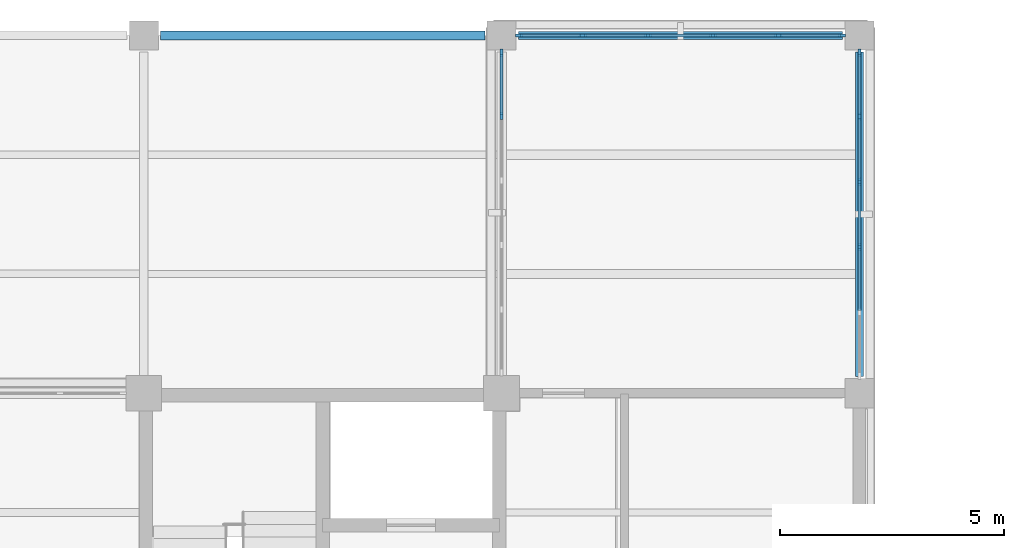
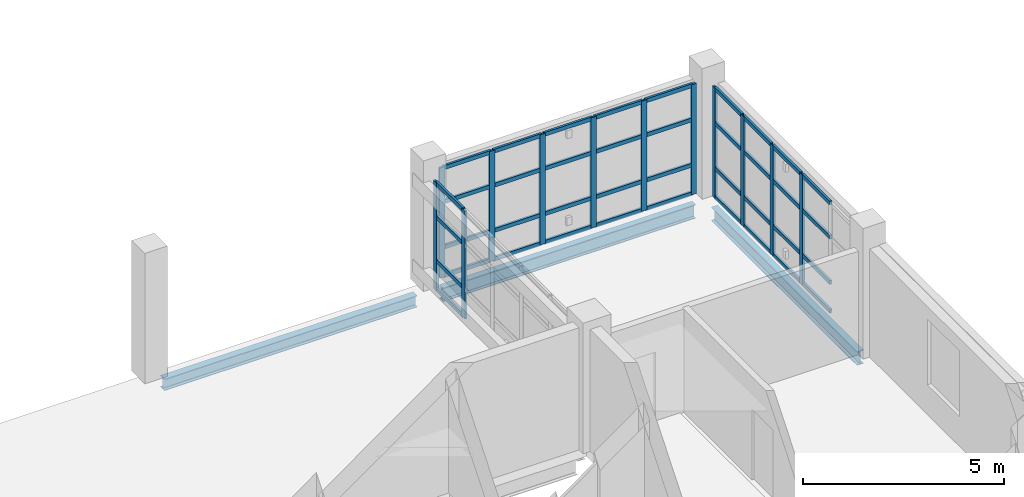
# One storey, part 38 of 126: 52 members, 3 beams, 3 elements without a shape of their own.
"""IFC4 building model written with IfcOpenShell, lengths in metres."""

import ifcopenshell
import ifcopenshell.guid

model = None  # the IFC model being written
_history = None  # IfcOwnerHistory: only IFC2X3 demands one
_inside = {}  # id of a spatial element -> (the spatial element, [elements in it])
_under = {}  # id of a project, library or spatial element -> (it, [spatial elements below it])
_declared = {}  # id of a project -> (the project, [libraries it declares])
_typed = {}  # id of a type object -> (the type object, [elements of that type])
_made_of = {}  # id of a material, layer set ... -> (it, [elements and type objects made of it])


def new_model(schema):
    """Start an empty IFC model of exactly this schema.

    Asked for "IFC4X3", IfcOpenShell would pick the latest addendum, in which some entities
    have other attributes; the version numbers below select the first issue.
    IFC2X3 requires an IfcOwnerHistory on every rooted entity: one is made here for all.
    """
    global model, _history
    if schema == "IFC4X3":
        model = ifcopenshell.file(schema_version=(4, 3, 0, 0))
    else:
        model = ifcopenshell.file(schema=schema)
    _inside.clear()
    _under.clear()
    _declared.clear()
    _typed.clear()
    _made_of.clear()
    _history = None
    if model.schema == "IFC2X3":
        org = make("IfcOrganization", Name="unknown")
        user = make(
            "IfcPersonAndOrganization",
            ThePerson=make("IfcPerson", FamilyName="unknown"),
            TheOrganization=org,
        )
        app = make(
            "IfcApplication",
            ApplicationDeveloper=org,
            Version="unknown",
            ApplicationFullName="unknown",
            ApplicationIdentifier="unknown",
        )
        _history = make(
            "IfcOwnerHistory",
            OwningUser=user,
            OwningApplication=app,
            ChangeAction="ADDED",
            CreationDate=0,
        )
    return model


def make(cls, **values):
    """One entity of the class cls with the attributes given. An attribute that is None is left unset."""
    return model.create_entity(
        cls, **{name: value for name, value in values.items() if value is not None}
    )


def rooted(cls, **values):
    """An entity with a GlobalId (a new one), such as an element, a storey or a relation."""
    return make(cls, GlobalId=ifcopenshell.guid.new(), OwnerHistory=_history, **values)


def si_unit(unit_type, name, prefix=None):
    """IfcSIUnit, for example si_unit("LENGTHUNIT", "METRE", prefix="MILLI")."""
    return make("IfcSIUnit", UnitType=unit_type, Prefix=prefix, Name=name)


def derived_unit(unit_type, elements):
    """IfcDerivedUnit: a product of units, each with its exponent."""
    return make(
        "IfcDerivedUnit",
        Elements=[
            make("IfcDerivedUnitElement", Unit=unit, Exponent=power)
            for unit, power in elements
        ],
        UnitType=unit_type,
    )


def assignment(units):
    """IfcUnitAssignment: the units of a project."""
    return None if units is None else make("IfcUnitAssignment", Units=units)


def point(xyz):
    """IfcCartesianPoint."""
    return None if xyz is None else make("IfcCartesianPoint", Coordinates=xyz)


def direction(xyz):
    """IfcDirection."""
    return None if xyz is None else make("IfcDirection", DirectionRatios=xyz)


def frame(location, z_axis=None, x_axis=None):
    """IfcAxis2Placement3D, a coordinate frame: its origin and axes. An axis left out is left unset."""
    return make(
        "IfcAxis2Placement3D",
        Location=point(location),
        Axis=direction(z_axis),
        RefDirection=direction(x_axis),
    )


def frame_2d(location, x_axis=None):
    """IfcAxis2Placement2D, a coordinate frame in the plane: its origin and x axis."""
    return make(
        "IfcAxis2Placement2D", Location=point(location), RefDirection=direction(x_axis)
    )


def origin():
    """The frame at (0, 0, 0) with its axes left unset."""
    return frame((0.0, 0.0, 0.0))


def origin_2d():
    """The frame at (0, 0) in the plane with its x axis left unset."""
    return frame_2d((0.0, 0.0))


def place(relative_to, where):
    """IfcLocalPlacement: puts the frame where relative to a parent placement (None: the world)."""
    return make(
        "IfcLocalPlacement", PlacementRelTo=relative_to, RelativePlacement=where
    )


def context(
    kind, dimensions, precision=None, world=None, true_north=None, identifier=None
):
    """IfcGeometricRepresentationContext, for example the 3D "Model" context."""
    return make(
        "IfcGeometricRepresentationContext",
        ContextIdentifier=identifier,
        ContextType=kind,
        CoordinateSpaceDimension=dimensions,
        Precision=precision,
        WorldCoordinateSystem=world,
        TrueNorth=true_north,
    )


def subcontext(parent, identifier, kind, view, scale=None):
    """IfcGeometricRepresentationSubContext, for example "Body" below "Model"."""
    return make(
        "IfcGeometricRepresentationSubContext",
        ContextIdentifier=identifier,
        ContextType=kind,
        ParentContext=parent,
        TargetScale=scale,
        TargetView=view,
    )


def project(units=None, contexts=None):
    """IfcProject with its units and contexts."""
    return rooted(
        "IfcProject",
        Name="project",
        RepresentationContexts=contexts,
        UnitsInContext=assignment(units),
    )


def spatial(cls, under=None, at=None, **own):
    """A site, building, storey or space (cls), placed at a placement, below another one or the project."""
    s = rooted(cls, ObjectPlacement=at, **own)
    if under is not None:
        _under.setdefault(under.id(), (under, []))[1].append(s)
    return s


def profile(cls, at=None, kind="AREA", **sizes):
    """A parametric profile (cls). Its sizes go by their IFC names, for example OverallWidth=200.0."""
    return make(cls, ProfileType=kind, Position=at, **sizes)


def rectangle(**sizes):
    """IfcRectangleProfileDef."""
    return profile("IfcRectangleProfileDef", **sizes)


def i_section(**sizes):
    """IfcIShapeProfileDef."""
    return profile("IfcIShapeProfileDef", **sizes)


def extrude(swept, where, along, depth):
    """IfcExtrudedAreaSolid: the profile swept, set in the frame where, extruded along a direction by depth."""
    return make(
        "IfcExtrudedAreaSolid",
        SweptArea=swept,
        Position=where,
        ExtrudedDirection=direction(along),
        Depth=depth,
    )


def shape(context_of_items, identifier, shape_type, items):
    """IfcShapeRepresentation: the items that make up one representation, for example the "Body"."""
    return make(
        "IfcShapeRepresentation",
        ContextOfItems=context_of_items,
        RepresentationIdentifier=identifier,
        RepresentationType=shape_type,
        Items=items,
    )


def material(Name=None, Category=None):
    """IfcMaterial."""
    return make("IfcMaterial", Name=Name, Category=Category)


def layer(
    of_material, thickness, ventilated=None, Name=None, Category=None, Priority=None
):
    """IfcMaterialLayer: one layer of a wall or slab, of a material (None: an air gap)."""
    return make(
        "IfcMaterialLayer",
        Material=of_material,
        LayerThickness=thickness,
        IsVentilated=ventilated,
        Name=Name,
        Category=Category,
        Priority=Priority,
    )


def layer_set(layers, Name=None):
    """IfcMaterialLayerSet."""
    return make("IfcMaterialLayerSet", MaterialLayers=layers, LayerSetName=Name)


def material_profile(
    of_material, cross_section, Name=None, Category=None, Priority=None
):
    """IfcMaterialProfile: a cross section and its material."""
    return make(
        "IfcMaterialProfile",
        Name=Name,
        Material=of_material,
        Profile=cross_section,
        Priority=Priority,
        Category=Category,
    )


def profile_set(profiles, Name=None, composite=None):
    """IfcMaterialProfileSet."""
    return make(
        "IfcMaterialProfileSet",
        Name=Name,
        MaterialProfiles=profiles,
        CompositeProfile=composite,
    )


def made_of(thing, what):
    """Note that an element or type object is made of a material, layer set ...; save() writes the relation."""
    if what is not None:
        _made_of.setdefault(what.id(), (what, []))[1].append(thing)
    return thing


def type_object(cls, material=None, **own):
    """A type object (cls), such as IfcWallType, which elements share."""
    return made_of(rooted(cls, **own), material)


def element(
    cls,
    number,
    at=None,
    inside=None,
    cuts=None,
    type_object=None,
    material=None,
    context=None,
    identifier="Body",
    shape_type=None,
    held_by="IfcProductDefinitionShape",
    body=None,
    shapes=None,
    **own,
):
    """One element of the class cls, such as IfcWall. Its Tag is "e" and its number.

    at: its placement. inside: the storey or other place that contains it. cuts: it is an
    opening in that element (IfcRelVoidsElement). A single representation is given by context,
    identifier, shape_type and body (its items); several are given by shapes. held_by: the class
    of the entity that holds the representations. save() writes the other relations.
    """
    e = rooted(cls, Tag="e%d" % number, ObjectPlacement=at, **own)
    if body is not None:
        shapes = [shape(context, identifier, shape_type, body)]
    if shapes is not None:
        e.Representation = make(held_by, Representations=shapes)
    if inside is not None:
        _inside.setdefault(inside.id(), (inside, []))[1].append(e)
    if cuts is not None:
        rooted(
            "IfcRelVoidsElement", RelatingBuildingElement=cuts, RelatedOpeningElement=e
        )
    if type_object is not None:
        _typed.setdefault(type_object.id(), (type_object, []))[1].append(e)
    return made_of(e, material)


def aggregate(whole, parts):
    """IfcRelAggregates: a whole, such as a stair, and the parts it consists of."""
    return rooted("IfcRelAggregates", RelatingObject=whole, RelatedObjects=parts)


def save(model, path):
    """Write the relations noted so far, then the file.

    IfcRelAggregates (storeys below a building ...), IfcRelContainedInSpatialStructure (elements
    in a storey), IfcRelDefinesByType, IfcRelAssociatesMaterial and IfcRelDeclares: one each for
    every whole, place, type object, material and project.
    """
    for whole, parts in _under.values():
        aggregate(whole, parts)
    for where, things in _inside.values():
        rooted(
            "IfcRelContainedInSpatialStructure",
            RelatedElements=things,
            RelatingStructure=where,
        )
    for kind, things in _typed.values():
        rooted("IfcRelDefinesByType", RelatedObjects=things, RelatingType=kind)
    for what, things in _made_of.values():
        rooted("IfcRelAssociatesMaterial", RelatedObjects=things, RelatingMaterial=what)
    for by, libraries in _declared.values():
        rooted("IfcRelDeclares", RelatingContext=by, RelatedDefinitions=libraries)
    model.write(path)


model = new_model("IFC4")

# Units and contexts
model_context = context("Model", 3, precision=1e-05, world=origin(), true_north=direction((0.0, 1.0)))
body_context = subcontext(model_context, "Body", "Model", "MODEL_VIEW")
ifc_project = project(units=[si_unit("LENGTHUNIT", "METRE"), si_unit("AREAUNIT", "SQUARE_METRE"), si_unit("VOLUMEUNIT", "CUBIC_METRE"), si_unit("PLANEANGLEUNIT", "RADIAN"), si_unit("MASSUNIT", "GRAM", prefix="KILO"), derived_unit("THERMALTRANSMITTANCEUNIT", [(si_unit("MASSUNIT", "GRAM", prefix="KILO"), 1), (si_unit("TIMEUNIT", "SECOND"), -3), (si_unit("THERMODYNAMICTEMPERATUREUNIT", "KELVIN"), -1)])], contexts=[model_context])

# Site, building, storey
site_placement = place(None, origin())
site = spatial("IfcSite", under=ifc_project, at=site_placement, CompositionType="ELEMENT")
building_placement = place(site_placement, origin())
building = spatial("IfcBuilding", under=site, at=building_placement, Name="Veyamyaing Civic Hall", CompositionType="ELEMENT")
storey_placement = place(building_placement, frame((0.0, 0.0, 9.89990234375)))
storey = spatial("IfcBuildingStorey", under=building, at=storey_placement, Name="L02", CompositionType="ELEMENT", Elevation=9.89990234375)

# Beams
ifc_material_1 = material(Name="Steel ASTM A992", Category="steel")
ifc_material_profile_1 = material_profile(ifc_material_1, i_section(OverallWidth=0.2041015625, OverallDepth=0.35009765625, WebThickness=0.0078125, FlangeThickness=0.01513671875, FilletRadius=0.010009765625, at=origin_2d()), Name="W360X72")
ifc_profile_set_1 = profile_set([ifc_material_profile_1], Name="Steel ASTM A992")
beam_type_1 = type_object("IfcBeamType", Name="B-11", PredefinedType="SPANDREL", material=ifc_profile_set_1)
beam_placement = place(storey_placement, frame((32.375, 112.0, -0.414794921875), z_axis=(1.0, 0.0, 0.0), x_axis=(0.0, 1.0, 0.0)))
element("IfcBeam", 1, at=beam_placement, inside=storey, type_object=beam_type_1, Name="Girder B-11 L02 Grid Q 5-6", PredefinedType="SPANDREL", context=body_context, shape_type="SweptSolid", body=[
    extrude(i_section(OverallWidth=0.2041015625, OverallDepth=0.35009765625, WebThickness=0.0078125, FlangeThickness=0.01513671875, FilletRadius=0.010009765625, at=origin_2d()), origin(), (0.0, 0.0, 1.0), 7.25),
])
ifc_material_profile_2 = material_profile(ifc_material_1, i_section(OverallWidth=0.180908203125, OverallDepth=0.4169921875, WebThickness=0.010986328125, FlangeThickness=0.018310546875, FilletRadius=0.010009765625, at=origin_2d()), Name="W410X85")
ifc_profile_set_2 = profile_set([ifc_material_profile_2], Name="Steel ASTM A992")
beam_type_2 = type_object("IfcBeamType", Name="B-19", PredefinedType="SPANDREL", material=ifc_profile_set_2)
for number, where, z_axis, x_axis, name in (
    (2, (40.375, 112.0, -0.493408203125), (1.0, 0.0, 0.0), (0.0, 1.0, 0.0), "Girder B-19 L02 Grid Q 6-7"),
    (3, (48.0, 104.375, -0.493408203125), (0.0, 1.0, 0.0), (-1.0, 0.0, 0.0), "Girder B-19 L02 Grid 7 P-Q"),
):
    element("IfcBeam", number, at=place(storey_placement, frame(where, z_axis=z_axis, x_axis=x_axis)), inside=storey, type_object=beam_type_2, Name=name, PredefinedType="SPANDREL", context=body_context, shape_type="SweptSolid", body=[
        extrude(i_section(OverallWidth=0.180908203125, OverallDepth=0.4169921875, WebThickness=0.010986328125, FlangeThickness=0.018310546875, FilletRadius=0.010009765625, at=origin_2d()), origin(), (0.0, 0.0, 1.0), 7.25),
    ])

# Curtain wall, members
ifc_material_2 = material(Name="Anodised aluminium 6063-T6", Category="aluminium")
ifc_layer = layer(ifc_material_2, 0.159912109375, Name="Anodised aluminium 6063-T6")
ifc_layer_set = layer_set([ifc_layer], Name="Anodised aluminium 6063-T6")
curtain_wall_type = type_object("IfcCurtainWallType", Name="CW-03", PredefinedType="NOTDEFINED", material=ifc_layer_set)
curtain_wall_1_placement = place(storey_placement, origin())
curtain_wall_1 = element("IfcCurtainWall", 4, at=curtain_wall_1_placement, inside=storey, type_object=curtain_wall_type, Name="Unitized curtain wall CW-03 L02 N 6.14", PredefinedType="NOTDEFINED")
ifc_material_profile_3 = material_profile(ifc_material_2, rectangle(XDim=0.06494140625, YDim=0.159912109375, at=origin_2d()), Name="ALU-MUL-65X160")
ifc_profile_set_3 = profile_set([ifc_material_profile_3], Name="Anodised aluminium 6063-T6")
member_type_1 = type_object("IfcMemberType", Name="CWM-01", PredefinedType="MULLION", material=ifc_profile_set_3)
member_1_placement = place(storey_placement, frame((40.387451171875, 112.0, 0.0), z_axis=(0.0, 0.0, 1.0), x_axis=(0.0, 1.0, 0.0)))
member_1 = element("IfcMember", 5, at=member_1_placement, type_object=member_type_1, Name="CW-03 mullion 1", PredefinedType="MULLION", context=body_context, shape_type="SweptSolid", body=[
    extrude(rectangle(XDim=0.06494140625, YDim=0.159912109375, at=origin_2d()), origin(), (0.0, 0.0, 1.0), 3.343994140625),
])
member_2_placement = place(storey_placement, frame((41.81298828125, 112.0, 0.0), z_axis=(0.0, 0.0, 1.0), x_axis=(0.0, 1.0, 0.0)))
member_2 = element("IfcMember", 6, at=member_2_placement, type_object=member_type_1, Name="CW-03 mullion 2", PredefinedType="MULLION", context=body_context, shape_type="SweptSolid", body=[
    extrude(rectangle(XDim=0.06494140625, YDim=0.159912109375, at=origin_2d()), origin(), (0.0, 0.0, 1.0), 3.343994140625),
])
member_3_placement = place(storey_placement, frame((43.27099609375, 112.0, 0.0), z_axis=(0.0, 0.0, 1.0), x_axis=(0.0, 1.0, 0.0)))
member_3 = element("IfcMember", 7, at=member_3_placement, type_object=member_type_1, Name="CW-03 mullion 3", PredefinedType="MULLION", context=body_context, shape_type="SweptSolid", body=[
    extrude(rectangle(XDim=0.06494140625, YDim=0.159912109375, at=origin_2d()), origin(), (0.0, 0.0, 1.0), 3.343994140625),
])
member_4_placement = place(storey_placement, frame((44.72900390625, 112.0, 0.0), z_axis=(0.0, 0.0, 1.0), x_axis=(0.0, 1.0, 0.0)))
member_4 = element("IfcMember", 8, at=member_4_placement, type_object=member_type_1, Name="CW-03 mullion 4", PredefinedType="MULLION", context=body_context, shape_type="SweptSolid", body=[
    extrude(rectangle(XDim=0.06494140625, YDim=0.159912109375, at=origin_2d()), origin(), (0.0, 0.0, 1.0), 3.343994140625),
])
member_5_placement = place(storey_placement, frame((46.18701171875, 112.0, 0.0), z_axis=(0.0, 0.0, 1.0), x_axis=(0.0, 1.0, 0.0)))
member_5 = element("IfcMember", 9, at=member_5_placement, type_object=member_type_1, Name="CW-03 mullion 5", PredefinedType="MULLION", context=body_context, shape_type="SweptSolid", body=[
    extrude(rectangle(XDim=0.06494140625, YDim=0.159912109375, at=origin_2d()), origin(), (0.0, 0.0, 1.0), 3.343994140625),
])
member_6_placement = place(storey_placement, frame((47.612548828125, 112.0, 0.0), z_axis=(0.0, 0.0, 1.0), x_axis=(0.0, 1.0, 0.0)))
member_6 = element("IfcMember", 10, at=member_6_placement, type_object=member_type_1, Name="CW-03 mullion 6", PredefinedType="MULLION", context=body_context, shape_type="SweptSolid", body=[
    extrude(rectangle(XDim=0.06494140625, YDim=0.159912109375, at=origin_2d()), origin(), (0.0, 0.0, 1.0), 3.343994140625),
])

curtain_wall_2_placement = place(storey_placement, origin())
curtain_wall_2 = element("IfcCurtainWall", 11, at=curtain_wall_2_placement, inside=storey, type_object=curtain_wall_type, Name="Unitized curtain wall CW-03 L02 W 6.14", PredefinedType="NOTDEFINED")
member_7_placement = place(storey_placement, frame((40.0, 110.201904296875, 0.0), z_axis=(0.0, 0.0, 1.0), x_axis=(-1.0, 0.0, 0.0)))
member_7 = element("IfcMember", 12, at=member_7_placement, type_object=member_type_1, Name="CW-03 mullion 5", PredefinedType="MULLION", context=body_context, shape_type="SweptSolid", body=[
    extrude(rectangle(XDim=0.06494140625, YDim=0.159912109375, at=origin_2d()), origin(), (0.0, 0.0, 1.0), 3.280029296875),
])
member_8_placement = place(storey_placement, frame((40.0, 111.612548828125, 0.0), z_axis=(0.0, 0.0, 1.0), x_axis=(-1.0, 0.0, 0.0)))
member_8 = element("IfcMember", 13, at=member_8_placement, type_object=member_type_1, Name="CW-03 mullion 6", PredefinedType="MULLION", context=body_context, shape_type="SweptSolid", body=[
    extrude(rectangle(XDim=0.06494140625, YDim=0.159912109375, at=origin_2d()), origin(), (0.0, 0.0, 1.0), 3.280029296875),
])

curtain_wall_3_placement = place(storey_placement, origin())
curtain_wall_3 = element("IfcCurtainWall", 14, at=curtain_wall_3_placement, inside=storey, type_object=curtain_wall_type, Name="Unitized curtain wall CW-03 L02 E 6.14", PredefinedType="NOTDEFINED")
member_9_placement = place(storey_placement, frame((48.0, 107.27099609375, 0.0), z_axis=(0.0, 0.0, 1.0), x_axis=(-1.0, 0.0, 0.0)))
member_9 = element("IfcMember", 15, at=member_9_placement, type_object=member_type_1, Name="CW-03 mullion 3", PredefinedType="MULLION", context=body_context, shape_type="SweptSolid", body=[
    extrude(rectangle(XDim=0.06494140625, YDim=0.159912109375, at=origin_2d()), origin(), (0.0, 0.0, 1.0), 3.343994140625),
])
member_10_placement = place(storey_placement, frame((48.0, 108.72900390625, 0.0), z_axis=(0.0, 0.0, 1.0), x_axis=(-1.0, 0.0, 0.0)))
member_10 = element("IfcMember", 16, at=member_10_placement, type_object=member_type_1, Name="CW-03 mullion 4", PredefinedType="MULLION", context=body_context, shape_type="SweptSolid", body=[
    extrude(rectangle(XDim=0.06494140625, YDim=0.159912109375, at=origin_2d()), origin(), (0.0, 0.0, 1.0), 3.343994140625),
])
member_11_placement = place(storey_placement, frame((48.0, 110.18701171875, 0.0), z_axis=(0.0, 0.0, 1.0), x_axis=(-1.0, 0.0, 0.0)))
member_11 = element("IfcMember", 17, at=member_11_placement, type_object=member_type_1, Name="CW-03 mullion 5", PredefinedType="MULLION", context=body_context, shape_type="SweptSolid", body=[
    extrude(rectangle(XDim=0.06494140625, YDim=0.159912109375, at=origin_2d()), origin(), (0.0, 0.0, 1.0), 3.343994140625),
])
member_12_placement = place(storey_placement, frame((48.0, 111.612548828125, 0.0), z_axis=(0.0, 0.0, 1.0), x_axis=(-1.0, 0.0, 0.0)))
member_12 = element("IfcMember", 18, at=member_12_placement, type_object=member_type_1, Name="CW-03 mullion 6", PredefinedType="MULLION", context=body_context, shape_type="SweptSolid", body=[
    extrude(rectangle(XDim=0.06494140625, YDim=0.159912109375, at=origin_2d()), origin(), (0.0, 0.0, 1.0), 3.343994140625),
])

# Member
ifc_material_profile_4 = material_profile(ifc_material_2, rectangle(XDim=0.06494140625, YDim=0.1201171875, at=origin_2d()), Name="ALU-TRN-65X120")
ifc_profile_set_4 = profile_set([ifc_material_profile_4], Name="Anodised aluminium 6063-T6")
member_type_2 = type_object("IfcMemberType", Name="CWT-01", PredefinedType="USERDEFINED", material=ifc_profile_set_4)
member_13_placement = place(storey_placement, frame((40.419921875, 112.0, 0.03271484375), z_axis=(1.0, 0.0, 0.0), x_axis=(0.0, 1.0, 0.0)))
member_13 = element("IfcMember", 19, at=member_13_placement, type_object=member_type_2, Name="CW-03 transom 1.1", ObjectType="TRANSOM", PredefinedType="USERDEFINED", context=body_context, shape_type="SweptSolid", body=[
    extrude(rectangle(XDim=0.06494140625, YDim=0.1201171875, at=origin_2d()), origin(), (0.0, 0.0, 1.0), 1.360595703125),
])

member_14_placement = place(storey_placement, frame((40.419921875, 112.0, 0.900146484375), z_axis=(1.0, 0.0, 0.0), x_axis=(0.0, 1.0, 0.0)))
member_14 = element("IfcMember", 20, at=member_14_placement, type_object=member_type_2, Name="CW-03 transom 1.2", ObjectType="TRANSOM", PredefinedType="USERDEFINED", context=body_context, shape_type="SweptSolid", body=[
    extrude(rectangle(XDim=0.06494140625, YDim=0.1201171875, at=origin_2d()), origin(), (0.0, 0.0, 1.0), 1.360595703125),
])

member_15_placement = place(storey_placement, frame((40.419921875, 112.0, 2.27392578125), z_axis=(1.0, 0.0, 0.0), x_axis=(0.0, 1.0, 0.0)))
member_15 = element("IfcMember", 21, at=member_15_placement, type_object=member_type_2, Name="CW-03 transom 1.3", ObjectType="TRANSOM", PredefinedType="USERDEFINED", context=body_context, shape_type="SweptSolid", body=[
    extrude(rectangle(XDim=0.06494140625, YDim=0.1201171875, at=origin_2d()), origin(), (0.0, 0.0, 1.0), 1.360595703125),
])

member_16_placement = place(storey_placement, frame((40.419921875, 112.0, 3.3115234375), z_axis=(1.0, 0.0, 0.0), x_axis=(0.0, 1.0, 0.0)))
member_16 = element("IfcMember", 22, at=member_16_placement, type_object=member_type_2, Name="CW-03 transom 1.4", ObjectType="TRANSOM", PredefinedType="USERDEFINED", context=body_context, shape_type="SweptSolid", body=[
    extrude(rectangle(XDim=0.06494140625, YDim=0.1201171875, at=origin_2d()), origin(), (0.0, 0.0, 1.0), 1.360595703125),
])

member_17_placement = place(storey_placement, frame((41.845458984375, 112.0, 0.03271484375), z_axis=(1.0, 0.0, 0.0), x_axis=(0.0, 1.0, 0.0)))
member_17 = element("IfcMember", 23, at=member_17_placement, type_object=member_type_2, Name="CW-03 transom 2.1", ObjectType="TRANSOM", PredefinedType="USERDEFINED", context=body_context, shape_type="SweptSolid", body=[
    extrude(rectangle(XDim=0.06494140625, YDim=0.1201171875, at=origin_2d()), origin(), (0.0, 0.0, 1.0), 1.39306640625),
])

member_18_placement = place(storey_placement, frame((41.845458984375, 112.0, 0.900146484375), z_axis=(1.0, 0.0, 0.0), x_axis=(0.0, 1.0, 0.0)))
member_18 = element("IfcMember", 24, at=member_18_placement, type_object=member_type_2, Name="CW-03 transom 2.2", ObjectType="TRANSOM", PredefinedType="USERDEFINED", context=body_context, shape_type="SweptSolid", body=[
    extrude(rectangle(XDim=0.06494140625, YDim=0.1201171875, at=origin_2d()), origin(), (0.0, 0.0, 1.0), 1.39306640625),
])

member_19_placement = place(storey_placement, frame((41.845458984375, 112.0, 2.27392578125), z_axis=(1.0, 0.0, 0.0), x_axis=(0.0, 1.0, 0.0)))
member_19 = element("IfcMember", 25, at=member_19_placement, type_object=member_type_2, Name="CW-03 transom 2.3", ObjectType="TRANSOM", PredefinedType="USERDEFINED", context=body_context, shape_type="SweptSolid", body=[
    extrude(rectangle(XDim=0.06494140625, YDim=0.1201171875, at=origin_2d()), origin(), (0.0, 0.0, 1.0), 1.39306640625),
])

member_20_placement = place(storey_placement, frame((41.845458984375, 112.0, 3.3115234375), z_axis=(1.0, 0.0, 0.0), x_axis=(0.0, 1.0, 0.0)))
member_20 = element("IfcMember", 26, at=member_20_placement, type_object=member_type_2, Name="CW-03 transom 2.4", ObjectType="TRANSOM", PredefinedType="USERDEFINED", context=body_context, shape_type="SweptSolid", body=[
    extrude(rectangle(XDim=0.06494140625, YDim=0.1201171875, at=origin_2d()), origin(), (0.0, 0.0, 1.0), 1.39306640625),
])

member_21_placement = place(storey_placement, frame((43.303466796875, 112.0, 0.03271484375), z_axis=(1.0, 0.0, 0.0), x_axis=(0.0, 1.0, 0.0)))
member_21 = element("IfcMember", 27, at=member_21_placement, type_object=member_type_2, Name="CW-03 transom 3.1", ObjectType="TRANSOM", PredefinedType="USERDEFINED", context=body_context, shape_type="SweptSolid", body=[
    extrude(rectangle(XDim=0.06494140625, YDim=0.1201171875, at=origin_2d()), origin(), (0.0, 0.0, 1.0), 1.39306640625),
])

member_22_placement = place(storey_placement, frame((43.303466796875, 112.0, 0.900146484375), z_axis=(1.0, 0.0, 0.0), x_axis=(0.0, 1.0, 0.0)))
member_22 = element("IfcMember", 28, at=member_22_placement, type_object=member_type_2, Name="CW-03 transom 3.2", ObjectType="TRANSOM", PredefinedType="USERDEFINED", context=body_context, shape_type="SweptSolid", body=[
    extrude(rectangle(XDim=0.06494140625, YDim=0.1201171875, at=origin_2d()), origin(), (0.0, 0.0, 1.0), 1.39306640625),
])

member_23_placement = place(storey_placement, frame((43.303466796875, 112.0, 2.27392578125), z_axis=(1.0, 0.0, 0.0), x_axis=(0.0, 1.0, 0.0)))
member_23 = element("IfcMember", 29, at=member_23_placement, type_object=member_type_2, Name="CW-03 transom 3.3", ObjectType="TRANSOM", PredefinedType="USERDEFINED", context=body_context, shape_type="SweptSolid", body=[
    extrude(rectangle(XDim=0.06494140625, YDim=0.1201171875, at=origin_2d()), origin(), (0.0, 0.0, 1.0), 1.39306640625),
])

member_24_placement = place(storey_placement, frame((43.303466796875, 112.0, 3.3115234375), z_axis=(1.0, 0.0, 0.0), x_axis=(0.0, 1.0, 0.0)))
member_24 = element("IfcMember", 30, at=member_24_placement, type_object=member_type_2, Name="CW-03 transom 3.4", ObjectType="TRANSOM", PredefinedType="USERDEFINED", context=body_context, shape_type="SweptSolid", body=[
    extrude(rectangle(XDim=0.06494140625, YDim=0.1201171875, at=origin_2d()), origin(), (0.0, 0.0, 1.0), 1.39306640625),
])

member_25_placement = place(storey_placement, frame((44.761474609375, 112.0, 0.03271484375), z_axis=(1.0, 0.0, 0.0), x_axis=(0.0, 1.0, 0.0)))
member_25 = element("IfcMember", 31, at=member_25_placement, type_object=member_type_2, Name="CW-03 transom 4.1", ObjectType="TRANSOM", PredefinedType="USERDEFINED", context=body_context, shape_type="SweptSolid", body=[
    extrude(rectangle(XDim=0.06494140625, YDim=0.1201171875, at=origin_2d()), origin(), (0.0, 0.0, 1.0), 1.39306640625),
])

member_26_placement = place(storey_placement, frame((44.761474609375, 112.0, 0.900146484375), z_axis=(1.0, 0.0, 0.0), x_axis=(0.0, 1.0, 0.0)))
member_26 = element("IfcMember", 32, at=member_26_placement, type_object=member_type_2, Name="CW-03 transom 4.2", ObjectType="TRANSOM", PredefinedType="USERDEFINED", context=body_context, shape_type="SweptSolid", body=[
    extrude(rectangle(XDim=0.06494140625, YDim=0.1201171875, at=origin_2d()), origin(), (0.0, 0.0, 1.0), 1.39306640625),
])

member_27_placement = place(storey_placement, frame((44.761474609375, 112.0, 2.27392578125), z_axis=(1.0, 0.0, 0.0), x_axis=(0.0, 1.0, 0.0)))
member_27 = element("IfcMember", 33, at=member_27_placement, type_object=member_type_2, Name="CW-03 transom 4.3", ObjectType="TRANSOM", PredefinedType="USERDEFINED", context=body_context, shape_type="SweptSolid", body=[
    extrude(rectangle(XDim=0.06494140625, YDim=0.1201171875, at=origin_2d()), origin(), (0.0, 0.0, 1.0), 1.39306640625),
])

member_28_placement = place(storey_placement, frame((44.761474609375, 112.0, 3.3115234375), z_axis=(1.0, 0.0, 0.0), x_axis=(0.0, 1.0, 0.0)))
member_28 = element("IfcMember", 34, at=member_28_placement, type_object=member_type_2, Name="CW-03 transom 4.4", ObjectType="TRANSOM", PredefinedType="USERDEFINED", context=body_context, shape_type="SweptSolid", body=[
    extrude(rectangle(XDim=0.06494140625, YDim=0.1201171875, at=origin_2d()), origin(), (0.0, 0.0, 1.0), 1.39306640625),
])

member_29_placement = place(storey_placement, frame((46.219482421875, 112.0, 0.03271484375), z_axis=(1.0, 0.0, 0.0), x_axis=(0.0, 1.0, 0.0)))
member_29 = element("IfcMember", 35, at=member_29_placement, type_object=member_type_2, Name="CW-03 transom 5.1", ObjectType="TRANSOM", PredefinedType="USERDEFINED", context=body_context, shape_type="SweptSolid", body=[
    extrude(rectangle(XDim=0.06494140625, YDim=0.1201171875, at=origin_2d()), origin(), (0.0, 0.0, 1.0), 1.360595703125),
])

member_30_placement = place(storey_placement, frame((46.219482421875, 112.0, 0.900146484375), z_axis=(1.0, 0.0, 0.0), x_axis=(0.0, 1.0, 0.0)))
member_30 = element("IfcMember", 36, at=member_30_placement, type_object=member_type_2, Name="CW-03 transom 5.2", ObjectType="TRANSOM", PredefinedType="USERDEFINED", context=body_context, shape_type="SweptSolid", body=[
    extrude(rectangle(XDim=0.06494140625, YDim=0.1201171875, at=origin_2d()), origin(), (0.0, 0.0, 1.0), 1.360595703125),
])

member_31_placement = place(storey_placement, frame((46.219482421875, 112.0, 2.27392578125), z_axis=(1.0, 0.0, 0.0), x_axis=(0.0, 1.0, 0.0)))
member_31 = element("IfcMember", 37, at=member_31_placement, type_object=member_type_2, Name="CW-03 transom 5.3", ObjectType="TRANSOM", PredefinedType="USERDEFINED", context=body_context, shape_type="SweptSolid", body=[
    extrude(rectangle(XDim=0.06494140625, YDim=0.1201171875, at=origin_2d()), origin(), (0.0, 0.0, 1.0), 1.360595703125),
])

member_32_placement = place(storey_placement, frame((46.219482421875, 112.0, 3.3115234375), z_axis=(1.0, 0.0, 0.0), x_axis=(0.0, 1.0, 0.0)))
member_32 = element("IfcMember", 38, at=member_32_placement, type_object=member_type_2, Name="CW-03 transom 5.4", ObjectType="TRANSOM", PredefinedType="USERDEFINED", context=body_context, shape_type="SweptSolid", body=[
    extrude(rectangle(XDim=0.06494140625, YDim=0.1201171875, at=origin_2d()), origin(), (0.0, 0.0, 1.0), 1.360595703125),
])

aggregate(curtain_wall_1, [member_1, member_2, member_3, member_4, member_5, member_6, member_13, member_14, member_15, member_16, member_17, member_18, member_19, member_20, member_21, member_22, member_23, member_24, member_25, member_26, member_27, member_28, member_29, member_30, member_31, member_32])

member_33_placement = place(storey_placement, frame((40.0, 110.234619140625, 0.03271484375), z_axis=(0.0, 1.0, 0.0), x_axis=(-1.0, 0.0, 0.0)))
member_33 = element("IfcMember", 39, at=member_33_placement, type_object=member_type_2, Name="CW-03 transom 5.1", ObjectType="TRANSOM", PredefinedType="USERDEFINED", context=body_context, shape_type="SweptSolid", body=[
    extrude(rectangle(XDim=0.06494140625, YDim=0.1201171875, at=origin_2d()), origin(), (0.0, 0.0, 1.0), 1.345458984375),
])

member_34_placement = place(storey_placement, frame((40.0, 110.234619140625, 0.900146484375), z_axis=(0.0, 1.0, 0.0), x_axis=(-1.0, 0.0, 0.0)))
member_34 = element("IfcMember", 40, at=member_34_placement, type_object=member_type_2, Name="CW-03 transom 5.2", ObjectType="TRANSOM", PredefinedType="USERDEFINED", context=body_context, shape_type="SweptSolid", body=[
    extrude(rectangle(XDim=0.06494140625, YDim=0.1201171875, at=origin_2d()), origin(), (0.0, 0.0, 1.0), 1.345458984375),
])

member_35_placement = place(storey_placement, frame((40.0, 110.234619140625, 2.23046875), z_axis=(0.0, 1.0, 0.0), x_axis=(-1.0, 0.0, 0.0)))
member_35 = element("IfcMember", 41, at=member_35_placement, type_object=member_type_2, Name="CW-03 transom 5.3", ObjectType="TRANSOM", PredefinedType="USERDEFINED", context=body_context, shape_type="SweptSolid", body=[
    extrude(rectangle(XDim=0.06494140625, YDim=0.1201171875, at=origin_2d()), origin(), (0.0, 0.0, 1.0), 1.345458984375),
])

member_36_placement = place(storey_placement, frame((40.0, 110.234619140625, 3.24755859375), z_axis=(0.0, 1.0, 0.0), x_axis=(-1.0, 0.0, 0.0)))
member_36 = element("IfcMember", 42, at=member_36_placement, type_object=member_type_2, Name="CW-03 transom 5.4", ObjectType="TRANSOM", PredefinedType="USERDEFINED", context=body_context, shape_type="SweptSolid", body=[
    extrude(rectangle(XDim=0.06494140625, YDim=0.1201171875, at=origin_2d()), origin(), (0.0, 0.0, 1.0), 1.345458984375),
])

aggregate(curtain_wall_2, [member_7, member_8, member_33, member_34, member_35, member_36])

member_37_placement = place(storey_placement, frame((48.0, 105.845458984375, 0.03271484375), z_axis=(0.0, 1.0, 0.0), x_axis=(-1.0, 0.0, 0.0)))
member_37 = element("IfcMember", 43, at=member_37_placement, type_object=member_type_2, Name="CW-03 transom 2.1", ObjectType="TRANSOM", PredefinedType="USERDEFINED", context=body_context, shape_type="SweptSolid", body=[
    extrude(rectangle(XDim=0.06494140625, YDim=0.1201171875, at=origin_2d()), origin(), (0.0, 0.0, 1.0), 1.39306640625),
])

member_38_placement = place(storey_placement, frame((48.0, 105.845458984375, 0.900146484375), z_axis=(0.0, 1.0, 0.0), x_axis=(-1.0, 0.0, 0.0)))
member_38 = element("IfcMember", 44, at=member_38_placement, type_object=member_type_2, Name="CW-03 transom 2.2", ObjectType="TRANSOM", PredefinedType="USERDEFINED", context=body_context, shape_type="SweptSolid", body=[
    extrude(rectangle(XDim=0.06494140625, YDim=0.1201171875, at=origin_2d()), origin(), (0.0, 0.0, 1.0), 1.39306640625),
])

member_39_placement = place(storey_placement, frame((48.0, 105.845458984375, 2.27392578125), z_axis=(0.0, 1.0, 0.0), x_axis=(-1.0, 0.0, 0.0)))
member_39 = element("IfcMember", 45, at=member_39_placement, type_object=member_type_2, Name="CW-03 transom 2.3", ObjectType="TRANSOM", PredefinedType="USERDEFINED", context=body_context, shape_type="SweptSolid", body=[
    extrude(rectangle(XDim=0.06494140625, YDim=0.1201171875, at=origin_2d()), origin(), (0.0, 0.0, 1.0), 1.39306640625),
])

member_40_placement = place(storey_placement, frame((48.0, 105.845458984375, 3.3115234375), z_axis=(0.0, 1.0, 0.0), x_axis=(-1.0, 0.0, 0.0)))
member_40 = element("IfcMember", 46, at=member_40_placement, type_object=member_type_2, Name="CW-03 transom 2.4", ObjectType="TRANSOM", PredefinedType="USERDEFINED", context=body_context, shape_type="SweptSolid", body=[
    extrude(rectangle(XDim=0.06494140625, YDim=0.1201171875, at=origin_2d()), origin(), (0.0, 0.0, 1.0), 1.39306640625),
])

member_41_placement = place(storey_placement, frame((48.0, 107.303466796875, 0.03271484375), z_axis=(0.0, 1.0, 0.0), x_axis=(-1.0, 0.0, 0.0)))
member_41 = element("IfcMember", 47, at=member_41_placement, type_object=member_type_2, Name="CW-03 transom 3.1", ObjectType="TRANSOM", PredefinedType="USERDEFINED", context=body_context, shape_type="SweptSolid", body=[
    extrude(rectangle(XDim=0.06494140625, YDim=0.1201171875, at=origin_2d()), origin(), (0.0, 0.0, 1.0), 1.39306640625),
])

member_42_placement = place(storey_placement, frame((48.0, 107.303466796875, 0.900146484375), z_axis=(0.0, 1.0, 0.0), x_axis=(-1.0, 0.0, 0.0)))
member_42 = element("IfcMember", 48, at=member_42_placement, type_object=member_type_2, Name="CW-03 transom 3.2", ObjectType="TRANSOM", PredefinedType="USERDEFINED", context=body_context, shape_type="SweptSolid", body=[
    extrude(rectangle(XDim=0.06494140625, YDim=0.1201171875, at=origin_2d()), origin(), (0.0, 0.0, 1.0), 1.39306640625),
])

member_43_placement = place(storey_placement, frame((48.0, 107.303466796875, 2.27392578125), z_axis=(0.0, 1.0, 0.0), x_axis=(-1.0, 0.0, 0.0)))
member_43 = element("IfcMember", 49, at=member_43_placement, type_object=member_type_2, Name="CW-03 transom 3.3", ObjectType="TRANSOM", PredefinedType="USERDEFINED", context=body_context, shape_type="SweptSolid", body=[
    extrude(rectangle(XDim=0.06494140625, YDim=0.1201171875, at=origin_2d()), origin(), (0.0, 0.0, 1.0), 1.39306640625),
])

member_44_placement = place(storey_placement, frame((48.0, 107.303466796875, 3.3115234375), z_axis=(0.0, 1.0, 0.0), x_axis=(-1.0, 0.0, 0.0)))
member_44 = element("IfcMember", 50, at=member_44_placement, type_object=member_type_2, Name="CW-03 transom 3.4", ObjectType="TRANSOM", PredefinedType="USERDEFINED", context=body_context, shape_type="SweptSolid", body=[
    extrude(rectangle(XDim=0.06494140625, YDim=0.1201171875, at=origin_2d()), origin(), (0.0, 0.0, 1.0), 1.39306640625),
])

member_45_placement = place(storey_placement, frame((48.0, 108.761474609375, 0.03271484375), z_axis=(0.0, 1.0, 0.0), x_axis=(-1.0, 0.0, 0.0)))
member_45 = element("IfcMember", 51, at=member_45_placement, type_object=member_type_2, Name="CW-03 transom 4.1", ObjectType="TRANSOM", PredefinedType="USERDEFINED", context=body_context, shape_type="SweptSolid", body=[
    extrude(rectangle(XDim=0.06494140625, YDim=0.1201171875, at=origin_2d()), origin(), (0.0, 0.0, 1.0), 1.39306640625),
])

member_46_placement = place(storey_placement, frame((48.0, 108.761474609375, 0.900146484375), z_axis=(0.0, 1.0, 0.0), x_axis=(-1.0, 0.0, 0.0)))
member_46 = element("IfcMember", 52, at=member_46_placement, type_object=member_type_2, Name="CW-03 transom 4.2", ObjectType="TRANSOM", PredefinedType="USERDEFINED", context=body_context, shape_type="SweptSolid", body=[
    extrude(rectangle(XDim=0.06494140625, YDim=0.1201171875, at=origin_2d()), origin(), (0.0, 0.0, 1.0), 1.39306640625),
])

member_47_placement = place(storey_placement, frame((48.0, 108.761474609375, 2.27392578125), z_axis=(0.0, 1.0, 0.0), x_axis=(-1.0, 0.0, 0.0)))
member_47 = element("IfcMember", 53, at=member_47_placement, type_object=member_type_2, Name="CW-03 transom 4.3", ObjectType="TRANSOM", PredefinedType="USERDEFINED", context=body_context, shape_type="SweptSolid", body=[
    extrude(rectangle(XDim=0.06494140625, YDim=0.1201171875, at=origin_2d()), origin(), (0.0, 0.0, 1.0), 1.39306640625),
])

member_48_placement = place(storey_placement, frame((48.0, 108.761474609375, 3.3115234375), z_axis=(0.0, 1.0, 0.0), x_axis=(-1.0, 0.0, 0.0)))
member_48 = element("IfcMember", 54, at=member_48_placement, type_object=member_type_2, Name="CW-03 transom 4.4", ObjectType="TRANSOM", PredefinedType="USERDEFINED", context=body_context, shape_type="SweptSolid", body=[
    extrude(rectangle(XDim=0.06494140625, YDim=0.1201171875, at=origin_2d()), origin(), (0.0, 0.0, 1.0), 1.39306640625),
])

member_49_placement = place(storey_placement, frame((48.0, 110.219482421875, 0.03271484375), z_axis=(0.0, 1.0, 0.0), x_axis=(-1.0, 0.0, 0.0)))
member_49 = element("IfcMember", 55, at=member_49_placement, type_object=member_type_2, Name="CW-03 transom 5.1", ObjectType="TRANSOM", PredefinedType="USERDEFINED", context=body_context, shape_type="SweptSolid", body=[
    extrude(rectangle(XDim=0.06494140625, YDim=0.1201171875, at=origin_2d()), origin(), (0.0, 0.0, 1.0), 1.360595703125),
])

member_50_placement = place(storey_placement, frame((48.0, 110.219482421875, 0.900146484375), z_axis=(0.0, 1.0, 0.0), x_axis=(-1.0, 0.0, 0.0)))
member_50 = element("IfcMember", 56, at=member_50_placement, type_object=member_type_2, Name="CW-03 transom 5.2", ObjectType="TRANSOM", PredefinedType="USERDEFINED", context=body_context, shape_type="SweptSolid", body=[
    extrude(rectangle(XDim=0.06494140625, YDim=0.1201171875, at=origin_2d()), origin(), (0.0, 0.0, 1.0), 1.360595703125),
])

member_51_placement = place(storey_placement, frame((48.0, 110.219482421875, 2.27392578125), z_axis=(0.0, 1.0, 0.0), x_axis=(-1.0, 0.0, 0.0)))
member_51 = element("IfcMember", 57, at=member_51_placement, type_object=member_type_2, Name="CW-03 transom 5.3", ObjectType="TRANSOM", PredefinedType="USERDEFINED", context=body_context, shape_type="SweptSolid", body=[
    extrude(rectangle(XDim=0.06494140625, YDim=0.1201171875, at=origin_2d()), origin(), (0.0, 0.0, 1.0), 1.360595703125),
])

member_52_placement = place(storey_placement, frame((48.0, 110.219482421875, 3.3115234375), z_axis=(0.0, 1.0, 0.0), x_axis=(-1.0, 0.0, 0.0)))
member_52 = element("IfcMember", 58, at=member_52_placement, type_object=member_type_2, Name="CW-03 transom 5.4", ObjectType="TRANSOM", PredefinedType="USERDEFINED", context=body_context, shape_type="SweptSolid", body=[
    extrude(rectangle(XDim=0.06494140625, YDim=0.1201171875, at=origin_2d()), origin(), (0.0, 0.0, 1.0), 1.360595703125),
])

aggregate(curtain_wall_3, [member_9, member_10, member_11, member_12, member_37, member_38, member_39, member_40, member_41, member_42, member_43, member_44, member_45, member_46, member_47, member_48, member_49, member_50, member_51, member_52])

save(model, "model.ifc")
